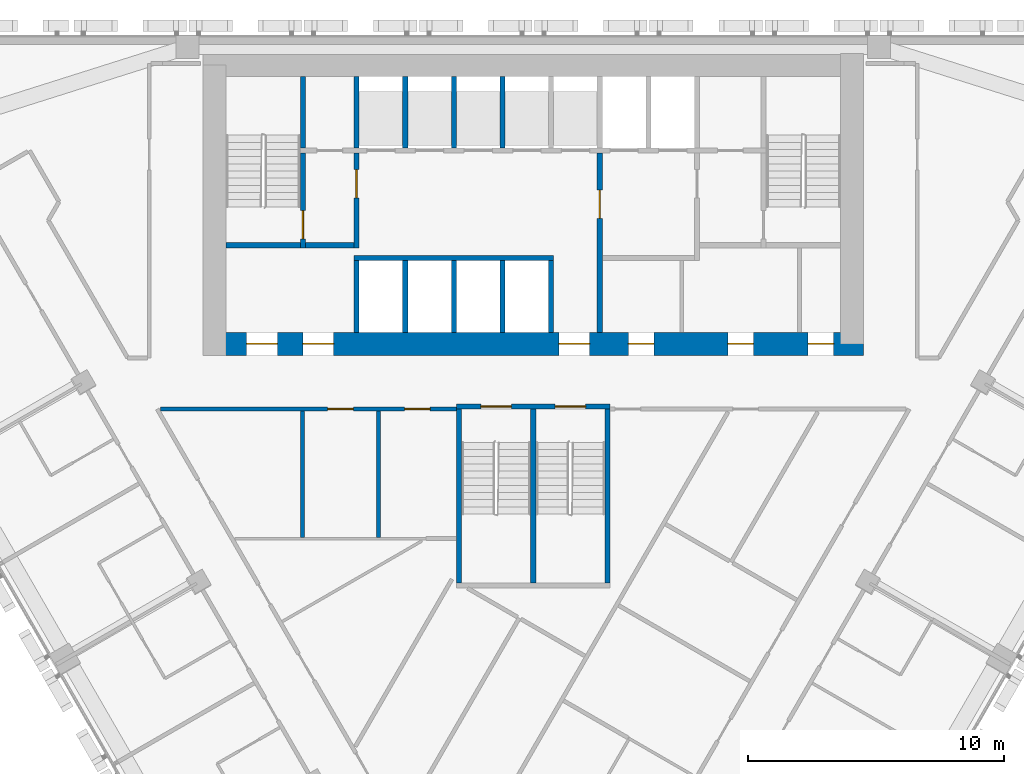
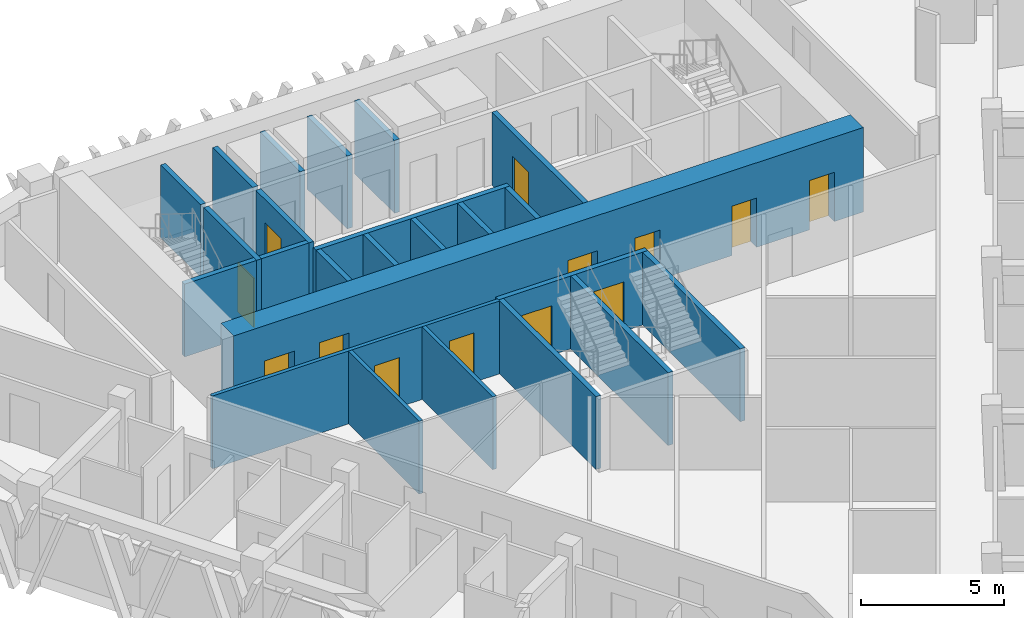
# One storey, part 11 of 16: 24 walls, 13 doors, 13 openings.
"""IFC4 building model written with IfcOpenShell, lengths in metres."""

from ifc_helpers import new_model, si_unit, direction, frame, frame_2d, origin, place, context, subcontext, project, spatial, rectangle, extrude, material, layer, layer_set, type_object, element, fill, save


model = new_model("IFC4")

# Units and contexts
model_context = context("Model", 3, precision=1e-05, world=origin(), true_north=direction((0.0, 1.0)))
body_context = subcontext(model_context, "Body", "Model", "MODEL_VIEW")
ifc_project = project(units=[si_unit("LENGTHUNIT", "METRE"), si_unit("AREAUNIT", "SQUARE_METRE"), si_unit("VOLUMEUNIT", "CUBIC_METRE"), si_unit("PLANEANGLEUNIT", "RADIAN"), si_unit("MASSUNIT", "GRAM", prefix="KILO")], contexts=[model_context])

# Site, building, storey
site_placement = place(None, origin())
site = spatial("IfcSite", under=ifc_project, at=site_placement, CompositionType="ELEMENT")
building_placement = place(site_placement, origin())
building = spatial("IfcBuilding", under=site, at=building_placement, Name="Altiplano Prism Tower", CompositionType="ELEMENT")
storey_placement = place(building_placement, frame((0.0, 0.0, 104.39990234375)))
storey = spatial("IfcBuildingStorey", under=building, at=storey_placement, Name="L26", CompositionType="ELEMENT", Elevation=104.39990234375)

# Wall, openings, doors
ifc_material_1 = material(Name="Concrete C70/85", Category="concrete")
ifc_layer_1 = layer(ifc_material_1, 0.89990234375)
ifc_layer_set_1 = layer_set([ifc_layer_1], Name="Concrete C70/85")
wall_type_1 = type_object("IfcWallType", Name="Core wall 900", PredefinedType="SHEAR", material=ifc_layer_set_1)
wall_1_placement = place(storey_placement, frame((72.550048828125, 92.949951171875, 0.0), z_axis=(0.0, 0.0, 1.0), x_axis=(1.0, 0.0, 0.0)))
wall_1 = element("IfcWall", 1, at=wall_1_placement, inside=storey, type_object=wall_type_1, Name="Core wall S L26", PredefinedType="SHEAR", context=body_context, shape_type="SweptSolid", body=[
    extrude(rectangle(XDim=25.349853515625, YDim=0.89990234375, at=frame_2d((12.6748046875, 0.0))), origin(), (0.0, 0.0, 1.0), 3.60009765625),
])
opening_1_placement = place(wall_1_placement, frame((1.25, 0.0, 0.0)))
opening_1 = element("IfcOpeningElement", 2, at=opening_1_placement, cuts=wall_1, Name="Opening D2938", PredefinedType="OPENING", context=body_context, shape_type="SweptSolid", body=[
    extrude(rectangle(XDim=1.199951171875, YDim=2.10009765625, at=frame_2d((0.60009765625, 1.050048828125))), frame((0.0, 0.46044921875, 0.0), z_axis=(0.0, -1.0, 0.0), x_axis=(1.0, 0.0, 0.0)), (0.0, 0.0, 1.0), 0.9208984375),
])
opening_2_placement = place(wall_1_placement, frame((3.449951171875, 0.0, 0.0)))
opening_2 = element("IfcOpeningElement", 3, at=opening_2_placement, cuts=wall_1, Name="Opening D2939", PredefinedType="OPENING", context=body_context, shape_type="SweptSolid", body=[
    extrude(rectangle(XDim=1.199951171875, YDim=2.10009765625, at=frame_2d((0.60009765625, 1.050048828125))), frame((0.0, 0.46044921875, 0.0), z_axis=(0.0, -1.0, 0.0), x_axis=(1.0, 0.0, 0.0)), (0.0, 0.0, 1.0), 0.9208984375),
])
opening_3_placement = place(wall_1_placement, frame((13.449951171875, 0.0, 0.0)))
opening_3 = element("IfcOpeningElement", 4, at=opening_3_placement, cuts=wall_1, Name="Opening D2940", PredefinedType="OPENING", context=body_context, shape_type="SweptSolid", body=[
    extrude(rectangle(XDim=1.199951171875, YDim=2.10009765625, at=frame_2d((0.60009765625, 1.050048828125))), frame((0.0, 0.46044921875, 0.0), z_axis=(0.0, -1.0, 0.0), x_axis=(1.0, 0.0, 0.0)), (0.0, 0.0, 1.0), 0.9208984375),
])
opening_4_placement = place(wall_1_placement, frame((16.16259765625, 0.0, 0.0)))
opening_4 = element("IfcOpeningElement", 5, at=opening_4_placement, cuts=wall_1, Name="Opening D2943", PredefinedType="OPENING", context=body_context, shape_type="SweptSolid", body=[
    extrude(rectangle(XDim=1.0, YDim=2.10009765625, at=frame_2d((0.5, 1.050048828125))), frame((0.0, 0.46044921875, 0.0), z_axis=(0.0, -1.0, 0.0), x_axis=(1.0, 0.0, 0.0)), (0.0, 0.0, 1.0), 0.9208984375),
])
opening_5_placement = place(wall_1_placement, frame((20.050048828125, 0.0, 0.0)))
opening_5 = element("IfcOpeningElement", 6, at=opening_5_placement, cuts=wall_1, Name="Opening D2944", PredefinedType="OPENING", context=body_context, shape_type="SweptSolid", body=[
    extrude(rectangle(XDim=1.0, YDim=2.10009765625, at=frame_2d((0.5, 1.050048828125))), frame((0.0, 0.46044921875, 0.0), z_axis=(0.0, -1.0, 0.0), x_axis=(1.0, 0.0, 0.0)), (0.0, 0.0, 1.0), 0.9208984375),
])
opening_6_placement = place(wall_1_placement, frame((23.1875, 0.0, 0.0)))
opening_6 = element("IfcOpeningElement", 7, at=opening_6_placement, cuts=wall_1, Name="Opening D2945", PredefinedType="OPENING", context=body_context, shape_type="SweptSolid", body=[
    extrude(rectangle(XDim=1.0, YDim=2.10009765625, at=frame_2d((0.5, 1.050048828125))), frame((0.0, 0.46044921875, 0.0), z_axis=(0.0, -1.0, 0.0), x_axis=(1.0, 0.0, 0.0)), (0.0, 0.0, 1.0), 0.9208984375),
])
ifc_material_2 = material(Name="Fire-rated steel door", Category="steel")
door_type_1 = type_object("IfcDoorType", Name="Core room door 1000 x 2100", OperationType="NOTDEFINED", PredefinedType="NOTDEFINED", material=ifc_material_2)
door_1_placement = place(opening_4_placement, origin())
door_1 = element("IfcDoor", 8, at=door_1_placement, inside=storey, type_object=door_type_1, Name="Core room door D2943", OperationType="SINGLE_SWING_RIGHT", OverallHeight=2.10009765625, OverallWidth=1.0, PredefinedType="NOTDEFINED", context=body_context, shape_type="SweptSolid", body=[
    extrude(rectangle(XDim=1.0, YDim=2.10009765625, at=frame_2d((0.5, 1.050048828125))), frame((0.0, 0.02490234375, 0.0), z_axis=(0.0, -1.0, 0.0), x_axis=(1.0, 0.0, 0.0)), (0.0, 0.0, 1.0), 0.050048828125),
])
fill(opening_4, door_1)
door_2_placement = place(opening_5_placement, origin())
door_2 = element("IfcDoor", 9, at=door_2_placement, inside=storey, type_object=door_type_1, Name="Core room door D2944", OperationType="SINGLE_SWING_LEFT", OverallHeight=2.10009765625, OverallWidth=1.0, PredefinedType="NOTDEFINED", context=body_context, shape_type="SweptSolid", body=[
    extrude(rectangle(XDim=1.0, YDim=2.10009765625, at=frame_2d((0.5, 1.050048828125))), frame((0.0, 0.02490234375, 0.0), z_axis=(0.0, -1.0, 0.0), x_axis=(1.0, 0.0, 0.0)), (0.0, 0.0, 1.0), 0.050048828125),
])
fill(opening_5, door_2)
door_3_placement = place(opening_6_placement, origin())
door_3 = element("IfcDoor", 10, at=door_3_placement, inside=storey, type_object=door_type_1, Name="Core room door D2945", OperationType="SINGLE_SWING_RIGHT", OverallHeight=2.10009765625, OverallWidth=1.0, PredefinedType="NOTDEFINED", context=body_context, shape_type="SweptSolid", body=[
    extrude(rectangle(XDim=1.0, YDim=2.10009765625, at=frame_2d((0.5, 1.050048828125))), frame((0.0, 0.02490234375, 0.0), z_axis=(0.0, -1.0, 0.0), x_axis=(1.0, 0.0, 0.0)), (0.0, 0.0, 1.0), 0.050048828125),
])
fill(opening_6, door_3)
door_type_2 = type_object("IfcDoorType", Name="Lobby fire door 1200 x 2100", OperationType="NOTDEFINED", PredefinedType="NOTDEFINED", material=ifc_material_2)
door_4_placement = place(opening_1_placement, origin())
door_4 = element("IfcDoor", 11, at=door_4_placement, inside=storey, type_object=door_type_2, Name="Lobby fire door D2938", OperationType="SINGLE_SWING_RIGHT", OverallHeight=2.10009765625, OverallWidth=1.199951171875, PredefinedType="NOTDEFINED", context=body_context, shape_type="SweptSolid", body=[
    extrude(rectangle(XDim=1.199951171875, YDim=2.10009765625, at=frame_2d((0.60009765625, 1.050048828125))), frame((0.0, 0.02490234375, 0.0), z_axis=(0.0, -1.0, 0.0), x_axis=(1.0, 0.0, 0.0)), (0.0, 0.0, 1.0), 0.050048828125),
])
fill(opening_1, door_4)
door_5_placement = place(opening_2_placement, origin())
door_5 = element("IfcDoor", 12, at=door_5_placement, inside=storey, type_object=door_type_2, Name="Lobby fire door D2939", OperationType="SINGLE_SWING_LEFT", OverallHeight=2.10009765625, OverallWidth=1.199951171875, PredefinedType="NOTDEFINED", context=body_context, shape_type="SweptSolid", body=[
    extrude(rectangle(XDim=1.199951171875, YDim=2.10009765625, at=frame_2d((0.60009765625, 1.050048828125))), frame((0.0, 0.02490234375, 0.0), z_axis=(0.0, -1.0, 0.0), x_axis=(1.0, 0.0, 0.0)), (0.0, 0.0, 1.0), 0.050048828125),
])
fill(opening_2, door_5)
door_6_placement = place(opening_3_placement, origin())
door_6 = element("IfcDoor", 13, at=door_6_placement, inside=storey, type_object=door_type_2, Name="Lobby fire door D2940", OperationType="SINGLE_SWING_RIGHT", OverallHeight=2.10009765625, OverallWidth=1.199951171875, PredefinedType="NOTDEFINED", context=body_context, shape_type="SweptSolid", body=[
    extrude(rectangle(XDim=1.199951171875, YDim=2.10009765625, at=frame_2d((0.60009765625, 1.050048828125))), frame((0.0, 0.02490234375, 0.0), z_axis=(0.0, -1.0, 0.0), x_axis=(1.0, 0.0, 0.0)), (0.0, 0.0, 1.0), 0.050048828125),
])
fill(opening_3, door_6)

ifc_material_3 = material(Name="Plasterboard on steel stud", Category="steel")
ifc_layer_2 = layer(ifc_material_3, 0.14990234375)
ifc_layer_set_2 = layer_set([ifc_layer_2], Name="Plasterboard on steel stud")
wall_type_2 = type_object("IfcWallType", Name="Partition 150 corridor", PredefinedType="PARTITIONING", material=ifc_layer_set_2)
wall_2_placement = place(storey_placement, frame((70.440673828125, 90.39990234375, 0.0), z_axis=(0.0, 0.0, 1.0), x_axis=(1.0, 0.0, 0.0)))
wall_2 = element("IfcWall", 14, at=wall_2_placement, inside=storey, type_object=wall_type_2, Name="Partition P06 L26 001", PredefinedType="PARTITIONING", context=body_context, shape_type="SweptSolid", body=[
    extrude(rectangle(XDim=11.559326171875, YDim=0.14990234375, at=frame_2d((5.77978515625, 0.0))), origin(), (0.0, 0.0, 1.0), 3.10009765625),
])
opening_7_placement = place(wall_2_placement, frame((9.534912109375, 0.0, 0.0)))
opening_7 = element("IfcOpeningElement", 15, at=opening_7_placement, cuts=wall_2, Name="Opening D0953", PredefinedType="OPENING", context=body_context, shape_type="SweptSolid", body=[
    extrude(rectangle(XDim=1.0, YDim=2.10009765625, at=frame_2d((0.5, 1.050048828125))), frame((0.0, 0.08544921875, 0.0), z_axis=(0.0, -1.0, 0.0), x_axis=(1.0, 0.0, 0.0)), (0.0, 0.0, 1.0), 0.1708984375),
])
opening_8_placement = place(wall_2_placement, frame((6.529052734375, 0.0, 0.0)))
opening_8 = element("IfcOpeningElement", 16, at=opening_8_placement, cuts=wall_2, Name="Opening D0954", PredefinedType="OPENING", context=body_context, shape_type="SweptSolid", body=[
    extrude(rectangle(XDim=1.0, YDim=2.10009765625, at=frame_2d((0.5, 1.050048828125))), frame((0.0, 0.08544921875, 0.0), z_axis=(0.0, -1.0, 0.0), x_axis=(1.0, 0.0, 0.0)), (0.0, 0.0, 1.0), 0.1708984375),
])
ifc_material_4 = material(Name="Timber", Category="wood")
door_type_3 = type_object("IfcDoorType", Name="Store door 1000 x 2100", OperationType="NOTDEFINED", PredefinedType="NOTDEFINED", material=ifc_material_4)
door_7_placement = place(opening_7_placement, origin())
door_7 = element("IfcDoor", 17, at=door_7_placement, inside=storey, type_object=door_type_3, Name="Door D0953", OperationType="SINGLE_SWING_LEFT", OverallHeight=2.10009765625, OverallWidth=1.0, PredefinedType="NOTDEFINED", context=body_context, shape_type="SweptSolid", body=[
    extrude(rectangle(XDim=1.0, YDim=2.10009765625, at=frame_2d((0.5, 1.050048828125))), frame((0.0, 0.02490234375, 0.0), z_axis=(0.0, -1.0, 0.0), x_axis=(1.0, 0.0, 0.0)), (0.0, 0.0, 1.0), 0.050048828125),
])
fill(opening_7, door_7)
door_8_placement = place(opening_8_placement, origin())
door_8 = element("IfcDoor", 18, at=door_8_placement, inside=storey, type_object=door_type_3, Name="Door D0954", OperationType="SINGLE_SWING_LEFT", OverallHeight=2.10009765625, OverallWidth=1.0, PredefinedType="NOTDEFINED", context=body_context, shape_type="SweptSolid", body=[
    extrude(rectangle(XDim=1.0, YDim=2.10009765625, at=frame_2d((0.5, 1.050048828125))), frame((0.0, 0.02490234375, 0.0), z_axis=(0.0, -1.0, 0.0), x_axis=(1.0, 0.0, 0.0)), (0.0, 0.0, 1.0), 0.050048828125),
])
fill(opening_8, door_8)

# Walls
ifc_layer_3 = layer(ifc_material_3, 0.14990234375)
ifc_layer_set_3 = layer_set([ifc_layer_3], Name="Plasterboard on steel stud")
wall_type_3 = type_object("IfcWallType", Name="Partition 150 party", PredefinedType="PARTITIONING", material=ifc_layer_set_3)
for number, where, z_axis, x_axis, name in (
    (19, (78.951171875, 90.324951171875, 0.0), (0.0, 0.0, 1.0), (0.0, -1.0, 0.0), "Partition P01 L26 041"),
    (20, (75.987548828125, 90.324951171875, 0.0), (0.0, 0.0, 1.0), (0.0, -1.0, 0.0), "Partition P01 L26 043"),
):
    element("IfcWall", number, at=place(storey_placement, frame(where, z_axis=z_axis, x_axis=x_axis)), inside=storey, type_object=wall_type_3, Name=name, PredefinedType="PARTITIONING", context=body_context, shape_type="SweptSolid", body=[
        extrude(rectangle(XDim=4.933837890625, YDim=0.14990234375, at=frame_2d((2.466796875, 0.0))), origin(), (0.0, 0.0, 1.0), 3.10009765625),
    ])
ifc_material_5 = material(Name="Concrete C60/75", Category="concrete")
ifc_layer_4 = layer(ifc_material_5, 0.199951171875)
ifc_layer_set_4 = layer_set([ifc_layer_4], Name="Concrete C60/75")
wall_type_4 = type_object("IfcWallType", Name="Shaft wall 200", PredefinedType="SOLIDWALL", material=ifc_layer_set_4)
for number, where, z_axis, x_axis, name in (
    (21, (78.10009765625, 93.39990234375, 0.0), (0.0, 0.0, 1.0), (0.0, 1.0, 0.0), "Shaft wall L26"),
    (22, (80.0, 93.39990234375, 0.0), (0.0, 0.0, 1.0), (0.0, 1.0, 0.0), "Shaft wall L26"),
    (23, (81.89990234375, 93.39990234375, 0.0), (0.0, 0.0, 1.0), (0.0, 1.0, 0.0), "Shaft wall L26"),
    (24, (83.800048828125, 93.39990234375, 0.0), (0.0, 0.0, 1.0), (0.0, 1.0, 0.0), "Shaft wall L26"),
    (25, (85.699951171875, 93.39990234375, 0.0), (0.0, 0.0, 1.0), (0.0, 1.0, 0.0), "Shaft wall L26"),
):
    element("IfcWall", number, at=place(storey_placement, frame(where, z_axis=z_axis, x_axis=x_axis)), inside=storey, type_object=wall_type_4, Name=name, PredefinedType="SOLIDWALL", context=body_context, shape_type="SweptSolid", body=[
        extrude(rectangle(XDim=2.800048828125, YDim=0.199951171875, at=frame_2d((1.39990234375, 0.0))), origin(), (0.0, 0.0, 1.0), 3.10009765625),
    ])
wall_3_placement = place(storey_placement, frame((78.0, 96.300048828125, 0.0), z_axis=(0.0, 0.0, 1.0), x_axis=(1.0, 0.0, 0.0)))
element("IfcWall", 26, at=wall_3_placement, inside=storey, type_object=wall_type_4, Name="Shaft wall L26", PredefinedType="SOLIDWALL", context=body_context, shape_type="SweptSolid", body=[
    extrude(rectangle(XDim=7.800048828125, YDim=0.199951171875, at=frame_2d((3.89990234375, 0.0))), origin(), (0.0, 0.0, 1.0), 3.10009765625),
])
for number, where, z_axis, x_axis, name in (
    (27, (78.10009765625, 100.60009765625, 0.0), (0.0, 0.0, 1.0), (0.0, 1.0, 0.0), "Shaft wall L26"),
    (28, (80.0, 100.60009765625, 0.0), (0.0, 0.0, 1.0), (0.0, 1.0, 0.0), "Shaft wall L26"),
    (29, (81.89990234375, 100.60009765625, 0.0), (0.0, 0.0, 1.0), (0.0, 1.0, 0.0), "Shaft wall L26"),
    (30, (83.800048828125, 100.60009765625, 0.0), (0.0, 0.0, 1.0), (0.0, 1.0, 0.0), "Shaft wall L26"),
):
    element("IfcWall", number, at=place(storey_placement, frame(where, z_axis=z_axis, x_axis=x_axis)), inside=storey, type_object=wall_type_4, Name=name, PredefinedType="SOLIDWALL", context=body_context, shape_type="SweptSolid", body=[
        extrude(rectangle(XDim=2.7998046875, YDim=0.199951171875, at=frame_2d((1.39990234375, 0.0))), origin(), (0.0, 0.0, 1.0), 3.10009765625),
    ])
ifc_layer_5 = layer(ifc_material_5, 0.199951171875)
ifc_layer_set_5 = layer_set([ifc_layer_5], Name="Concrete C60/75")
wall_type_5 = type_object("IfcWallType", Name="Stair wall 200", PredefinedType="SOLIDWALL", material=ifc_layer_set_5)
wall_4_placement = place(storey_placement, frame((73.0, 96.800048828125, 0.0), z_axis=(0.0, 0.0, 1.0), x_axis=(1.0, 0.0, 0.0)))
element("IfcWall", 31, at=wall_4_placement, inside=storey, type_object=wall_type_5, Name="Stair wall L26", PredefinedType="SOLIDWALL", context=body_context, shape_type="SweptSolid", body=[
    extrude(rectangle(XDim=2.89990234375, YDim=0.199951171875, at=frame_2d((1.449951171875, 0.0))), origin(), (0.0, 0.0, 1.0), 3.10009765625),
])

# Wall, opening, door
wall_5_placement = place(storey_placement, frame((76.0, 96.699951171875, 0.0), z_axis=(0.0, 0.0, 1.0), x_axis=(0.0, 1.0, 0.0)))
wall_5 = element("IfcWall", 32, at=wall_5_placement, inside=storey, type_object=wall_type_5, Name="Stair wall L26", PredefinedType="SOLIDWALL", context=body_context, shape_type="SweptSolid", body=[
    extrude(rectangle(XDim=3.699951171875, YDim=0.199951171875, at=frame_2d((1.85009765625, 0.0))), origin(), (0.0, 0.0, 1.0), 3.10009765625),
])
opening_9_placement = place(wall_5_placement, frame((0.35009765625, 0.0, 0.0)))
opening_9 = element("IfcOpeningElement", 33, at=opening_9_placement, cuts=wall_5, Name="Opening D2933", PredefinedType="OPENING", context=body_context, shape_type="SweptSolid", body=[
    extrude(rectangle(XDim=1.10009765625, YDim=2.10009765625, at=frame_2d((0.550048828125, 1.050048828125))), frame((0.0, 0.1103515625, 0.0), z_axis=(0.0, -1.0, 0.0), x_axis=(1.0, 0.0, 0.0)), (0.0, 0.0, 1.0), 0.220947265625),
])
door_type_4 = type_object("IfcDoorType", Name="Stair fire door 1100 x 2100", OperationType="NOTDEFINED", PredefinedType="NOTDEFINED", material=ifc_material_2)
door_9_placement = place(opening_9_placement, origin())
door_9 = element("IfcDoor", 34, at=door_9_placement, inside=storey, type_object=door_type_4, Name="Stair fire door D2933", OperationType="SINGLE_SWING_RIGHT", OverallHeight=2.10009765625, OverallWidth=1.10009765625, PredefinedType="NOTDEFINED", context=body_context, shape_type="SweptSolid", body=[
    extrude(rectangle(XDim=1.10009765625, YDim=2.10009765625, at=frame_2d((0.550048828125, 1.050048828125))), frame((0.0, 0.02490234375, 0.0), z_axis=(0.0, -1.0, 0.0), x_axis=(1.0, 0.0, 0.0)), (0.0, 0.0, 1.0), 0.050048828125),
])
fill(opening_9, door_9)

# Wall
wall_6_placement = place(storey_placement, frame((76.0, 100.60009765625, 0.0), z_axis=(0.0, 0.0, 1.0), x_axis=(0.0, 1.0, 0.0)))
element("IfcWall", 35, at=wall_6_placement, inside=storey, type_object=wall_type_5, Name="Stair wall L26", PredefinedType="SOLIDWALL", context=body_context, shape_type="SweptSolid", body=[
    extrude(rectangle(XDim=2.7998046875, YDim=0.199951171875, at=frame_2d((1.39990234375, 0.0))), origin(), (0.0, 0.0, 1.0), 3.10009765625),
])

# Wall, openings, doors
wall_7_placement = place(storey_placement, frame((82.0, 90.5, 0.0), z_axis=(0.0, 0.0, 1.0), x_axis=(1.0, 0.0, 0.0)))
wall_7 = element("IfcWall", 36, at=wall_7_placement, inside=storey, type_object=wall_type_5, Name="Stair 3 wall north L26", PredefinedType="SOLIDWALL", context=body_context, shape_type="SweptSolid", body=[
    extrude(rectangle(XDim=6.0, YDim=0.199951171875, at=frame_2d((3.0, 0.0))), origin(), (0.0, 0.0, 1.0), 3.10009765625),
])
opening_10_placement = place(wall_7_placement, frame((0.949951171875, 0.0, 0.0)))
opening_10 = element("IfcOpeningElement", 37, at=opening_10_placement, cuts=wall_7, Name="Opening D3974", PredefinedType="OPENING", context=body_context, shape_type="SweptSolid", body=[
    extrude(rectangle(XDim=1.199951171875, YDim=2.10009765625, at=frame_2d((0.60009765625, 1.050048828125))), frame((0.0, 0.1103515625, 0.0), z_axis=(0.0, -1.0, 0.0), x_axis=(1.0, 0.0, 0.0)), (0.0, 0.0, 1.0), 0.220947265625),
])
opening_11_placement = place(wall_7_placement, frame((3.85009765625, 0.0, 0.0)))
opening_11 = element("IfcOpeningElement", 38, at=opening_11_placement, cuts=wall_7, Name="Opening D3975", PredefinedType="OPENING", context=body_context, shape_type="SweptSolid", body=[
    extrude(rectangle(XDim=1.199951171875, YDim=2.10009765625, at=frame_2d((0.60009765625, 1.050048828125))), frame((0.0, 0.1103515625, 0.0), z_axis=(0.0, -1.0, 0.0), x_axis=(1.0, 0.0, 0.0)), (0.0, 0.0, 1.0), 0.220947265625),
])
door_type_5 = type_object("IfcDoorType", Name="Stair fire door 1200 x 2100", OperationType="NOTDEFINED", PredefinedType="NOTDEFINED", material=ifc_material_2)
door_10_placement = place(opening_10_placement, origin())
door_10 = element("IfcDoor", 39, at=door_10_placement, inside=storey, type_object=door_type_5, Name="Stair fire door D3974", OperationType="SINGLE_SWING_LEFT", OverallHeight=2.10009765625, OverallWidth=1.199951171875, PredefinedType="NOTDEFINED", context=body_context, shape_type="SweptSolid", body=[
    extrude(rectangle(XDim=1.199951171875, YDim=2.10009765625, at=frame_2d((0.60009765625, 1.050048828125))), frame((0.0, 0.02490234375, 0.0), z_axis=(0.0, -1.0, 0.0), x_axis=(1.0, 0.0, 0.0)), (0.0, 0.0, 1.0), 0.050048828125),
])
fill(opening_10, door_10)
door_11_placement = place(opening_11_placement, origin())
door_11 = element("IfcDoor", 40, at=door_11_placement, inside=storey, type_object=door_type_5, Name="Stair fire door D3975", OperationType="SINGLE_SWING_LEFT", OverallHeight=2.10009765625, OverallWidth=1.199951171875, PredefinedType="NOTDEFINED", context=body_context, shape_type="SweptSolid", body=[
    extrude(rectangle(XDim=1.199951171875, YDim=2.10009765625, at=frame_2d((0.60009765625, 1.050048828125))), frame((0.0, 0.02490234375, 0.0), z_axis=(0.0, -1.0, 0.0), x_axis=(1.0, 0.0, 0.0)), (0.0, 0.0, 1.0), 0.050048828125),
])
fill(opening_11, door_11)

# Walls
for number, where, z_axis, x_axis, name in (
    (41, (82.10009765625, 83.60009765625, 0.0), (0.0, 0.0, 1.0), (0.0, 1.0, 0.0), "Stair 3 wall west L26"),
    (42, (87.89990234375, 83.60009765625, 0.0), (0.0, 0.0, 1.0), (0.0, 1.0, 0.0), "Stair 3 wall east L26"),
    (43, (85.0, 83.60009765625, 0.0), (0.0, 0.0, 1.0), (0.0, 1.0, 0.0), "Stair 3 wall divider L26"),
):
    element("IfcWall", number, at=place(storey_placement, frame(where, z_axis=z_axis, x_axis=x_axis)), inside=storey, type_object=wall_type_5, Name=name, PredefinedType="SOLIDWALL", context=body_context, shape_type="SweptSolid", body=[
        extrude(rectangle(XDim=6.7998046875, YDim=0.199951171875, at=frame_2d((3.39990234375, 0.0))), origin(), (0.0, 0.0, 1.0), 3.10009765625),
    ])

# Wall, opening, door
ifc_layer_6 = layer(ifc_material_5, 0.199951171875)
ifc_layer_set_6 = layer_set([ifc_layer_6], Name="Concrete C60/75")
wall_type_6 = type_object("IfcWallType", Name="Vestibule wall 200", PredefinedType="PARTITIONING", material=ifc_layer_set_6)
wall_8_placement = place(storey_placement, frame((87.60009765625, 93.39990234375, 0.0), z_axis=(0.0, 0.0, 1.0), x_axis=(0.0, 1.0, 0.0)))
wall_8 = element("IfcWall", 44, at=wall_8_placement, inside=storey, type_object=wall_type_6, Name="Vestibule wall L26", PredefinedType="PARTITIONING", context=body_context, shape_type="SweptSolid", body=[
    extrude(rectangle(XDim=7.0, YDim=0.199951171875, at=frame_2d((3.5, 0.0))), origin(), (0.0, 0.0, 1.0), 3.10009765625),
])
opening_12_placement = place(wall_8_placement, frame((4.449951171875, 0.0, 0.0)))
opening_12 = element("IfcOpeningElement", 45, at=opening_12_placement, cuts=wall_8, Name="Opening D2936", PredefinedType="OPENING", context=body_context, shape_type="SweptSolid", body=[
    extrude(rectangle(XDim=1.10009765625, YDim=2.10009765625, at=frame_2d((0.550048828125, 1.050048828125))), frame((0.0, 0.1103515625, 0.0), z_axis=(0.0, -1.0, 0.0), x_axis=(1.0, 0.0, 0.0)), (0.0, 0.0, 1.0), 0.220947265625),
])
door_type_6 = type_object("IfcDoorType", Name="Vestibule fire door 1100 x 2100", OperationType="NOTDEFINED", PredefinedType="NOTDEFINED", material=ifc_material_2)
door_12_placement = place(opening_12_placement, origin())
door_12 = element("IfcDoor", 46, at=door_12_placement, inside=storey, type_object=door_type_6, Name="Vestibule fire door D2936", OperationType="SINGLE_SWING_RIGHT", OverallHeight=2.10009765625, OverallWidth=1.10009765625, PredefinedType="NOTDEFINED", context=body_context, shape_type="SweptSolid", body=[
    extrude(rectangle(XDim=1.10009765625, YDim=2.10009765625, at=frame_2d((0.550048828125, 1.050048828125))), frame((0.0, 0.02490234375, 0.0), z_axis=(0.0, -1.0, 0.0), x_axis=(1.0, 0.0, 0.0)), (0.0, 0.0, 1.0), 0.050048828125),
])
fill(opening_12, door_12)

# Wall
wall_9_placement = place(storey_placement, frame((76.10009765625, 96.800048828125, 0.0), z_axis=(0.0, 0.0, 1.0), x_axis=(1.0, 0.0, 0.0)))
element("IfcWall", 47, at=wall_9_placement, inside=storey, type_object=wall_type_6, Name="Vestibule wall L26", PredefinedType="PARTITIONING", context=body_context, shape_type="SweptSolid", body=[
    extrude(rectangle(XDim=1.89990234375, YDim=0.199951171875, at=frame_2d((0.949951171875, 0.0))), origin(), (0.0, 0.0, 1.0), 3.10009765625),
])

# Wall, opening, door
wall_10_placement = place(storey_placement, frame((78.10009765625, 96.699951171875, 0.0), z_axis=(0.0, 0.0, 1.0), x_axis=(0.0, 1.0, 0.0)))
wall_10 = element("IfcWall", 48, at=wall_10_placement, inside=storey, type_object=wall_type_6, Name="Vestibule wall L26", PredefinedType="PARTITIONING", context=body_context, shape_type="SweptSolid", body=[
    extrude(rectangle(XDim=3.699951171875, YDim=0.199951171875, at=frame_2d((1.85009765625, 0.0))), origin(), (0.0, 0.0, 1.0), 3.10009765625),
])
opening_13_placement = place(wall_10_placement, frame((1.949951171875, 0.0, 0.0)))
opening_13 = element("IfcOpeningElement", 49, at=opening_13_placement, cuts=wall_10, Name="Opening D2935", PredefinedType="OPENING", context=body_context, shape_type="SweptSolid", body=[
    extrude(rectangle(XDim=1.10009765625, YDim=2.10009765625, at=frame_2d((0.550048828125, 1.050048828125))), frame((0.0, 0.1103515625, 0.0), z_axis=(0.0, -1.0, 0.0), x_axis=(1.0, 0.0, 0.0)), (0.0, 0.0, 1.0), 0.220947265625),
])
door_13_placement = place(opening_13_placement, origin())
door_13 = element("IfcDoor", 50, at=door_13_placement, inside=storey, type_object=door_type_6, Name="Vestibule fire door D2935", OperationType="SINGLE_SWING_LEFT", OverallHeight=2.10009765625, OverallWidth=1.10009765625, PredefinedType="NOTDEFINED", context=body_context, shape_type="SweptSolid", body=[
    extrude(rectangle(XDim=1.10009765625, YDim=2.10009765625, at=frame_2d((0.550048828125, 1.050048828125))), frame((0.0, 0.02490234375, 0.0), z_axis=(0.0, -1.0, 0.0), x_axis=(1.0, 0.0, 0.0)), (0.0, 0.0, 1.0), 0.050048828125),
])
fill(opening_13, door_13)

save(model, "model.ifc")
